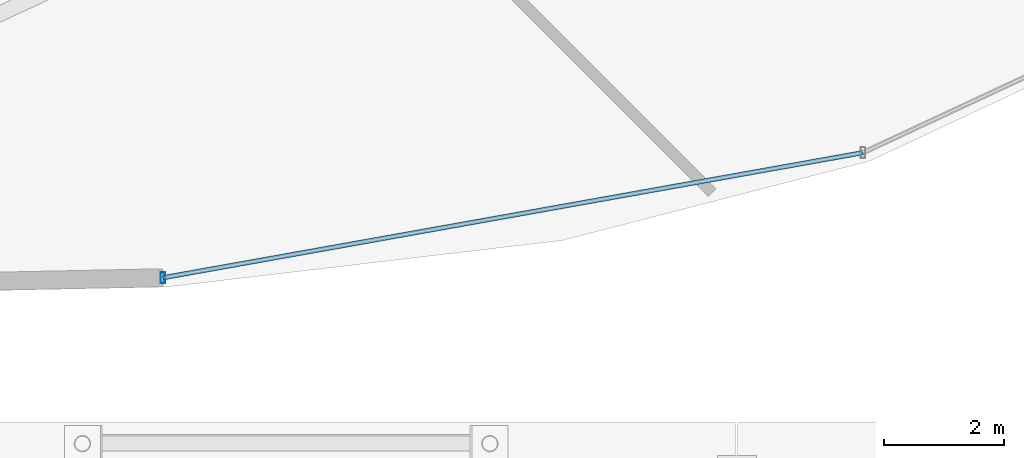
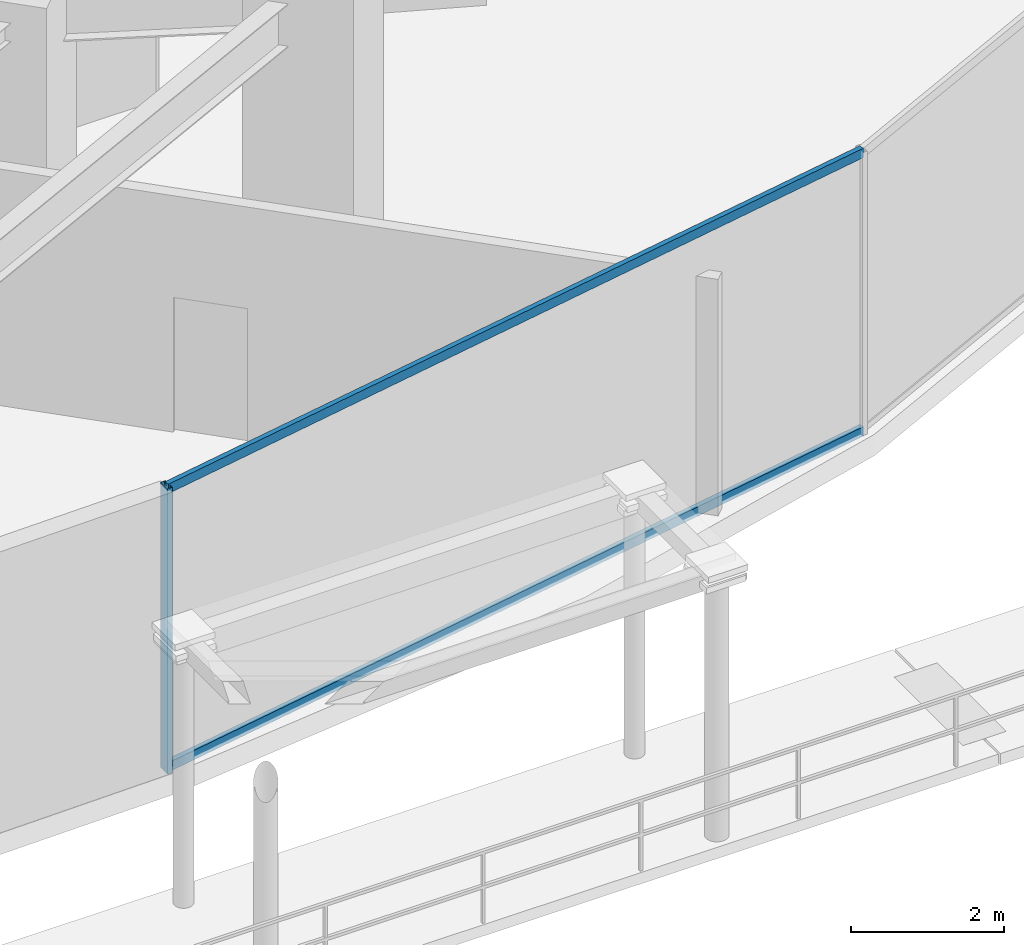
# One storey, part 11 of 36: 3 members, 1 element without a shape of its own.
"""IFC4 building model written with IfcOpenShell, lengths in metres."""

import ifcopenshell
import ifcopenshell.guid

model = None  # the IFC model being written
_history = None  # IfcOwnerHistory: only IFC2X3 demands one
_inside = {}  # id of a spatial element -> (the spatial element, [elements in it])
_under = {}  # id of a project, library or spatial element -> (it, [spatial elements below it])
_declared = {}  # id of a project -> (the project, [libraries it declares])
_typed = {}  # id of a type object -> (the type object, [elements of that type])
_made_of = {}  # id of a material, layer set ... -> (it, [elements and type objects made of it])


def new_model(schema):
    """Start an empty IFC model of exactly this schema.

    Asked for "IFC4X3", IfcOpenShell would pick the latest addendum, in which some entities
    have other attributes; the version numbers below select the first issue.
    IFC2X3 requires an IfcOwnerHistory on every rooted entity: one is made here for all.
    """
    global model, _history
    if schema == "IFC4X3":
        model = ifcopenshell.file(schema_version=(4, 3, 0, 0))
    else:
        model = ifcopenshell.file(schema=schema)
    _inside.clear()
    _under.clear()
    _declared.clear()
    _typed.clear()
    _made_of.clear()
    _history = None
    if model.schema == "IFC2X3":
        org = make("IfcOrganization", Name="unknown")
        user = make(
            "IfcPersonAndOrganization",
            ThePerson=make("IfcPerson", FamilyName="unknown"),
            TheOrganization=org,
        )
        app = make(
            "IfcApplication",
            ApplicationDeveloper=org,
            Version="unknown",
            ApplicationFullName="unknown",
            ApplicationIdentifier="unknown",
        )
        _history = make(
            "IfcOwnerHistory",
            OwningUser=user,
            OwningApplication=app,
            ChangeAction="ADDED",
            CreationDate=0,
        )
    return model


def make(cls, **values):
    """One entity of the class cls with the attributes given. An attribute that is None is left unset."""
    return model.create_entity(
        cls, **{name: value for name, value in values.items() if value is not None}
    )


def rooted(cls, **values):
    """An entity with a GlobalId (a new one), such as an element, a storey or a relation."""
    return make(cls, GlobalId=ifcopenshell.guid.new(), OwnerHistory=_history, **values)


def si_unit(unit_type, name, prefix=None):
    """IfcSIUnit, for example si_unit("LENGTHUNIT", "METRE", prefix="MILLI")."""
    return make("IfcSIUnit", UnitType=unit_type, Prefix=prefix, Name=name)


def assignment(units):
    """IfcUnitAssignment: the units of a project."""
    return None if units is None else make("IfcUnitAssignment", Units=units)


def point(xyz):
    """IfcCartesianPoint."""
    return None if xyz is None else make("IfcCartesianPoint", Coordinates=xyz)


def direction(xyz):
    """IfcDirection."""
    return None if xyz is None else make("IfcDirection", DirectionRatios=xyz)


def frame(location, z_axis=None, x_axis=None):
    """IfcAxis2Placement3D, a coordinate frame: its origin and axes. An axis left out is left unset."""
    return make(
        "IfcAxis2Placement3D",
        Location=point(location),
        Axis=direction(z_axis),
        RefDirection=direction(x_axis),
    )


def frame_2d(location, x_axis=None):
    """IfcAxis2Placement2D, a coordinate frame in the plane: its origin and x axis."""
    return make(
        "IfcAxis2Placement2D", Location=point(location), RefDirection=direction(x_axis)
    )


def origin():
    """The frame at (0, 0, 0) with its axes left unset."""
    return frame((0.0, 0.0, 0.0))


def origin_2d():
    """The frame at (0, 0) in the plane with its x axis left unset."""
    return frame_2d((0.0, 0.0))


def place(relative_to, where):
    """IfcLocalPlacement: puts the frame where relative to a parent placement (None: the world)."""
    return make(
        "IfcLocalPlacement", PlacementRelTo=relative_to, RelativePlacement=where
    )


def context(
    kind, dimensions, precision=None, world=None, true_north=None, identifier=None
):
    """IfcGeometricRepresentationContext, for example the 3D "Model" context."""
    return make(
        "IfcGeometricRepresentationContext",
        ContextIdentifier=identifier,
        ContextType=kind,
        CoordinateSpaceDimension=dimensions,
        Precision=precision,
        WorldCoordinateSystem=world,
        TrueNorth=true_north,
    )


def subcontext(parent, identifier, kind, view, scale=None):
    """IfcGeometricRepresentationSubContext, for example "Body" below "Model"."""
    return make(
        "IfcGeometricRepresentationSubContext",
        ContextIdentifier=identifier,
        ContextType=kind,
        ParentContext=parent,
        TargetScale=scale,
        TargetView=view,
    )


def project(units=None, contexts=None):
    """IfcProject with its units and contexts."""
    return rooted(
        "IfcProject",
        Name="project",
        RepresentationContexts=contexts,
        UnitsInContext=assignment(units),
    )


def spatial(cls, under=None, at=None, **own):
    """A site, building, storey or space (cls), placed at a placement, below another one or the project."""
    s = rooted(cls, ObjectPlacement=at, **own)
    if under is not None:
        _under.setdefault(under.id(), (under, []))[1].append(s)
    return s


def profile(cls, at=None, kind="AREA", **sizes):
    """A parametric profile (cls). Its sizes go by their IFC names, for example OverallWidth=200.0."""
    return make(cls, ProfileType=kind, Position=at, **sizes)


def hollow_rectangle(**sizes):
    """IfcRectangleHollowProfileDef."""
    return profile("IfcRectangleHollowProfileDef", **sizes)


def extrude(swept, where, along, depth):
    """IfcExtrudedAreaSolid: the profile swept, set in the frame where, extruded along a direction by depth."""
    return make(
        "IfcExtrudedAreaSolid",
        SweptArea=swept,
        Position=where,
        ExtrudedDirection=direction(along),
        Depth=depth,
    )


def shape(context_of_items, identifier, shape_type, items):
    """IfcShapeRepresentation: the items that make up one representation, for example the "Body"."""
    return make(
        "IfcShapeRepresentation",
        ContextOfItems=context_of_items,
        RepresentationIdentifier=identifier,
        RepresentationType=shape_type,
        Items=items,
    )


def material(Name=None, Category=None):
    """IfcMaterial."""
    return make("IfcMaterial", Name=Name, Category=Category)


def material_profile(
    of_material, cross_section, Name=None, Category=None, Priority=None
):
    """IfcMaterialProfile: a cross section and its material."""
    return make(
        "IfcMaterialProfile",
        Name=Name,
        Material=of_material,
        Profile=cross_section,
        Priority=Priority,
        Category=Category,
    )


def profile_set(profiles, Name=None, composite=None):
    """IfcMaterialProfileSet."""
    return make(
        "IfcMaterialProfileSet",
        Name=Name,
        MaterialProfiles=profiles,
        CompositeProfile=composite,
    )


def made_of(thing, what):
    """Note that an element or type object is made of a material, layer set ...; save() writes the relation."""
    if what is not None:
        _made_of.setdefault(what.id(), (what, []))[1].append(thing)
    return thing


def type_object(cls, material=None, **own):
    """A type object (cls), such as IfcWallType, which elements share."""
    return made_of(rooted(cls, **own), material)


def element(
    cls,
    number,
    at=None,
    inside=None,
    cuts=None,
    type_object=None,
    material=None,
    context=None,
    identifier="Body",
    shape_type=None,
    held_by="IfcProductDefinitionShape",
    body=None,
    shapes=None,
    **own,
):
    """One element of the class cls, such as IfcWall. Its Tag is "e" and its number.

    at: its placement. inside: the storey or other place that contains it. cuts: it is an
    opening in that element (IfcRelVoidsElement). A single representation is given by context,
    identifier, shape_type and body (its items); several are given by shapes. held_by: the class
    of the entity that holds the representations. save() writes the other relations.
    """
    e = rooted(cls, Tag="e%d" % number, ObjectPlacement=at, **own)
    if body is not None:
        shapes = [shape(context, identifier, shape_type, body)]
    if shapes is not None:
        e.Representation = make(held_by, Representations=shapes)
    if inside is not None:
        _inside.setdefault(inside.id(), (inside, []))[1].append(e)
    if cuts is not None:
        rooted(
            "IfcRelVoidsElement", RelatingBuildingElement=cuts, RelatedOpeningElement=e
        )
    if type_object is not None:
        _typed.setdefault(type_object.id(), (type_object, []))[1].append(e)
    return made_of(e, material)


def aggregate(whole, parts):
    """IfcRelAggregates: a whole, such as a stair, and the parts it consists of."""
    return rooted("IfcRelAggregates", RelatingObject=whole, RelatedObjects=parts)


def save(model, path):
    """Write the relations noted so far, then the file.

    IfcRelAggregates (storeys below a building ...), IfcRelContainedInSpatialStructure (elements
    in a storey), IfcRelDefinesByType, IfcRelAssociatesMaterial and IfcRelDeclares: one each for
    every whole, place, type object, material and project.
    """
    for whole, parts in _under.values():
        aggregate(whole, parts)
    for where, things in _inside.values():
        rooted(
            "IfcRelContainedInSpatialStructure",
            RelatedElements=things,
            RelatingStructure=where,
        )
    for kind, things in _typed.values():
        rooted("IfcRelDefinesByType", RelatedObjects=things, RelatingType=kind)
    for what, things in _made_of.values():
        rooted("IfcRelAssociatesMaterial", RelatedObjects=things, RelatingMaterial=what)
    for by, libraries in _declared.values():
        rooted("IfcRelDeclares", RelatingContext=by, RelatedDefinitions=libraries)
    model.write(path)


model = new_model("IFC4")

# Units and contexts
model_context = context("Model", 3, precision=1e-05, world=origin(), true_north=direction((0.0, 1.0)))
body_context = subcontext(model_context, "Body", "Model", "MODEL_VIEW")
ifc_project = project(units=[si_unit("LENGTHUNIT", "METRE"), si_unit("AREAUNIT", "SQUARE_METRE"), si_unit("VOLUMEUNIT", "CUBIC_METRE"), si_unit("PLANEANGLEUNIT", "RADIAN"), si_unit("MASSUNIT", "GRAM", prefix="KILO")], contexts=[model_context])

# Site, building, storey
site_placement = place(None, origin())
site = spatial("IfcSite", under=ifc_project, at=site_placement, CompositionType="ELEMENT")
building_placement = place(site_placement, origin())
building = spatial("IfcBuilding", under=site, at=building_placement, Name="Vorneva Point Tower", CompositionType="ELEMENT")
storey_placement = place(building_placement, origin())
storey = spatial("IfcBuildingStorey", under=building, at=storey_placement, Name="L00", CompositionType="ELEMENT", Elevation=0.0)

# Curtain wall, members
ifc_material = material(Name="Pale anodised aluminium", Category="aluminium")
curtain_wall_type = type_object("IfcCurtainWallType", Name="CW-POD-SYS", PredefinedType="NOTDEFINED", material=ifc_material)
curtain_wall_placement = place(storey_placement, origin())
curtain_wall = element("IfcCurtainWall", 1, at=curtain_wall_placement, inside=storey, type_object=curtain_wall_type, Name="L00 Unitised Curtain Wall CW-L00-R07", PredefinedType="NOTDEFINED")
ifc_material_profile_1 = material_profile(ifc_material, hollow_rectangle(XDim=0.074951171875, YDim=0.179931640625, WallThickness=0.00390625, at=origin_2d()), Name="AL-MUL 180x75x4")
ifc_profile_set_1 = profile_set([ifc_material_profile_1], Name="Pale anodised aluminium")
member_type_1 = type_object("IfcMemberType", Name="CW-MUL-180", PredefinedType="MULLION", material=ifc_profile_set_1)
member_1_placement = place(storey_placement, frame((50.4423828125, 2.968505859375, -0.0400390625), z_axis=(0.0, 0.0, 1.0), x_axis=(1.0, 0.0, 0.0)))
member_1 = element("IfcMember", 2, at=member_1_placement, type_object=member_type_1, Name="CW-L00-R07 Mullion 01", PredefinedType="MULLION", context=body_context, shape_type="SweptSolid", body=[
    extrude(hollow_rectangle(XDim=0.074951171875, YDim=0.179931640625, WallThickness=0.00390625, at=origin_2d()), origin(), (0.0, 0.0, 1.0), 4.550048828125),
])
ifc_material_profile_2 = material_profile(ifc_material, hollow_rectangle(XDim=0.074951171875, YDim=0.14990234375, WallThickness=0.00390625, at=origin_2d()), Name="AL-TRN 150x75x4")
ifc_profile_set_2 = profile_set([ifc_material_profile_2], Name="Pale anodised aluminium")
member_type_2 = type_object("IfcMemberType", Name="CW-TRN-150", PredefinedType="USERDEFINED", material=ifc_profile_set_2)
member_2_placement = place(storey_placement, frame((50.4423828125, 2.968505859375, 0.02001953125), z_axis=(0.984410919677, 0.175883885617, 0.0), x_axis=(-0.175883885617, 0.984410919677, 0.0)))
member_2 = element("IfcMember", 3, at=member_2_placement, type_object=member_type_2, Name="CW-L00-R07 Transom 01.1", ObjectType="TRANSOM", PredefinedType="USERDEFINED", context=body_context, shape_type="SweptSolid", body=[
    extrude(hollow_rectangle(XDim=0.074951171875, YDim=0.14990234375, WallThickness=0.00390625, at=origin_2d()), origin(), (0.0, 0.0, 1.0), 11.870849609375),
])
member_3_placement = place(storey_placement, frame((50.4423828125, 2.968505859375, 4.4599609375), z_axis=(0.984410919677, 0.175883885617, 0.0), x_axis=(-0.175883885617, 0.984410919677, 0.0)))
member_3 = element("IfcMember", 4, at=member_3_placement, type_object=member_type_2, Name="CW-L00-R07 Transom 01.2", ObjectType="TRANSOM", PredefinedType="USERDEFINED", context=body_context, shape_type="SweptSolid", body=[
    extrude(hollow_rectangle(XDim=0.074951171875, YDim=0.14990234375, WallThickness=0.00390625, at=origin_2d()), origin(), (0.0, 0.0, 1.0), 11.870849609375),
])
aggregate(curtain_wall, [member_1, member_2, member_3])

save(model, "model.ifc")
